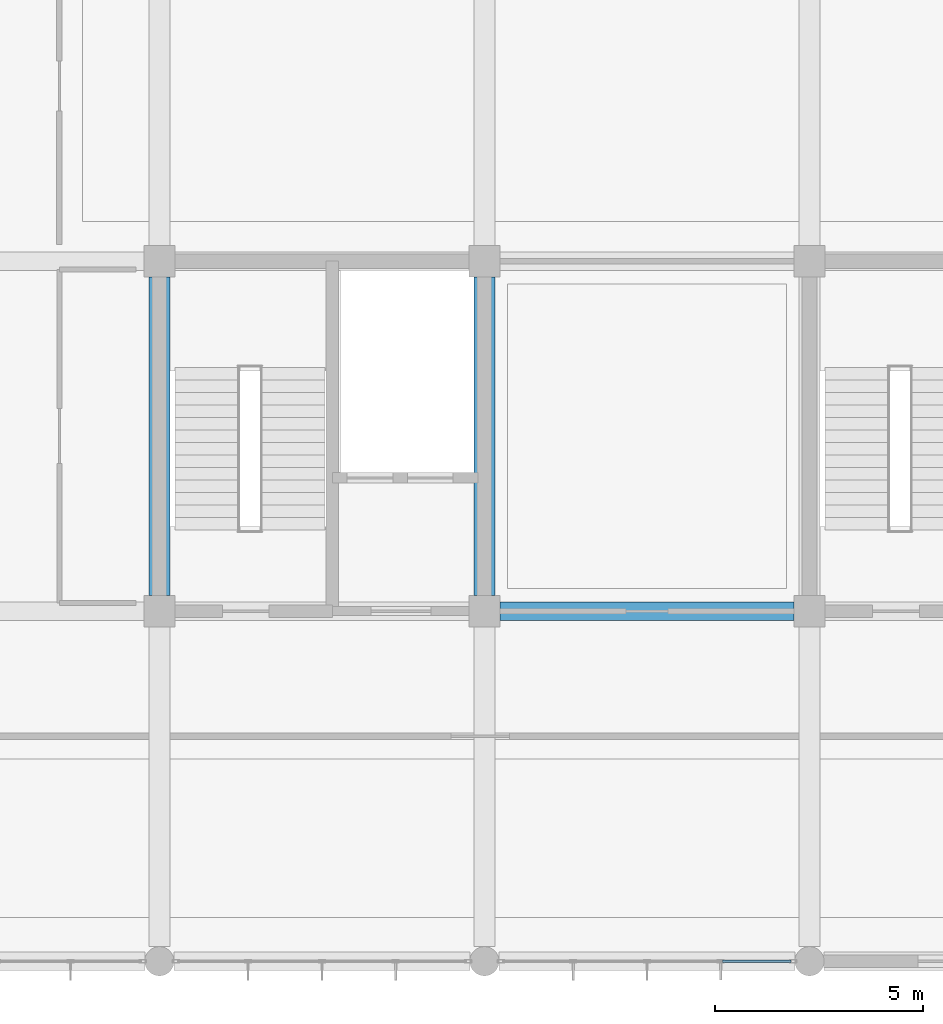
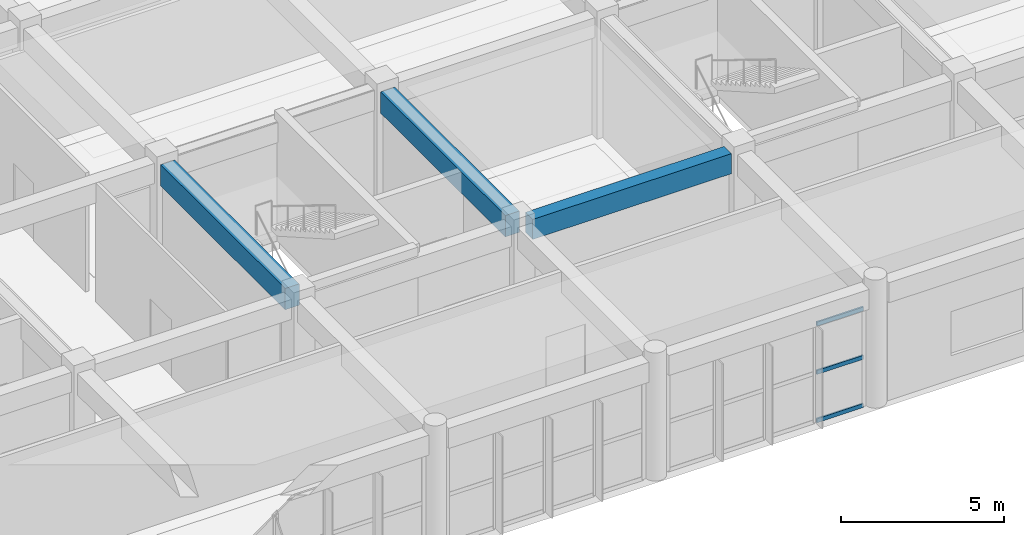
# One storey, part 30 of 175: 3 beams, 3 members, 1 element without a shape of its own.
"""IFC4 building model written with IfcOpenShell, lengths in metres."""

import ifcopenshell
import ifcopenshell.guid

model = None  # the IFC model being written
_history = None  # IfcOwnerHistory: only IFC2X3 demands one
_inside = {}  # id of a spatial element -> (the spatial element, [elements in it])
_under = {}  # id of a project, library or spatial element -> (it, [spatial elements below it])
_declared = {}  # id of a project -> (the project, [libraries it declares])
_typed = {}  # id of a type object -> (the type object, [elements of that type])
_made_of = {}  # id of a material, layer set ... -> (it, [elements and type objects made of it])


def new_model(schema):
    """Start an empty IFC model of exactly this schema.

    Asked for "IFC4X3", IfcOpenShell would pick the latest addendum, in which some entities
    have other attributes; the version numbers below select the first issue.
    IFC2X3 requires an IfcOwnerHistory on every rooted entity: one is made here for all.
    """
    global model, _history
    if schema == "IFC4X3":
        model = ifcopenshell.file(schema_version=(4, 3, 0, 0))
    else:
        model = ifcopenshell.file(schema=schema)
    _inside.clear()
    _under.clear()
    _declared.clear()
    _typed.clear()
    _made_of.clear()
    _history = None
    if model.schema == "IFC2X3":
        org = make("IfcOrganization", Name="unknown")
        user = make(
            "IfcPersonAndOrganization",
            ThePerson=make("IfcPerson", FamilyName="unknown"),
            TheOrganization=org,
        )
        app = make(
            "IfcApplication",
            ApplicationDeveloper=org,
            Version="unknown",
            ApplicationFullName="unknown",
            ApplicationIdentifier="unknown",
        )
        _history = make(
            "IfcOwnerHistory",
            OwningUser=user,
            OwningApplication=app,
            ChangeAction="ADDED",
            CreationDate=0,
        )
    return model


def make(cls, **values):
    """One entity of the class cls with the attributes given. An attribute that is None is left unset."""
    return model.create_entity(
        cls, **{name: value for name, value in values.items() if value is not None}
    )


def rooted(cls, **values):
    """An entity with a GlobalId (a new one), such as an element, a storey or a relation."""
    return make(cls, GlobalId=ifcopenshell.guid.new(), OwnerHistory=_history, **values)


def si_unit(unit_type, name, prefix=None):
    """IfcSIUnit, for example si_unit("LENGTHUNIT", "METRE", prefix="MILLI")."""
    return make("IfcSIUnit", UnitType=unit_type, Prefix=prefix, Name=name)


def assignment(units):
    """IfcUnitAssignment: the units of a project."""
    return None if units is None else make("IfcUnitAssignment", Units=units)


def point(xyz):
    """IfcCartesianPoint."""
    return None if xyz is None else make("IfcCartesianPoint", Coordinates=xyz)


def direction(xyz):
    """IfcDirection."""
    return None if xyz is None else make("IfcDirection", DirectionRatios=xyz)


def frame(location, z_axis=None, x_axis=None):
    """IfcAxis2Placement3D, a coordinate frame: its origin and axes. An axis left out is left unset."""
    return make(
        "IfcAxis2Placement3D",
        Location=point(location),
        Axis=direction(z_axis),
        RefDirection=direction(x_axis),
    )


def frame_2d(location, x_axis=None):
    """IfcAxis2Placement2D, a coordinate frame in the plane: its origin and x axis."""
    return make(
        "IfcAxis2Placement2D", Location=point(location), RefDirection=direction(x_axis)
    )


def origin():
    """The frame at (0, 0, 0) with its axes left unset."""
    return frame((0.0, 0.0, 0.0))


def origin_2d():
    """The frame at (0, 0) in the plane with its x axis left unset."""
    return frame_2d((0.0, 0.0))


def place(relative_to, where):
    """IfcLocalPlacement: puts the frame where relative to a parent placement (None: the world)."""
    return make(
        "IfcLocalPlacement", PlacementRelTo=relative_to, RelativePlacement=where
    )


def context(
    kind, dimensions, precision=None, world=None, true_north=None, identifier=None
):
    """IfcGeometricRepresentationContext, for example the 3D "Model" context."""
    return make(
        "IfcGeometricRepresentationContext",
        ContextIdentifier=identifier,
        ContextType=kind,
        CoordinateSpaceDimension=dimensions,
        Precision=precision,
        WorldCoordinateSystem=world,
        TrueNorth=true_north,
    )


def subcontext(parent, identifier, kind, view, scale=None):
    """IfcGeometricRepresentationSubContext, for example "Body" below "Model"."""
    return make(
        "IfcGeometricRepresentationSubContext",
        ContextIdentifier=identifier,
        ContextType=kind,
        ParentContext=parent,
        TargetScale=scale,
        TargetView=view,
    )


def project(units=None, contexts=None):
    """IfcProject with its units and contexts."""
    return rooted(
        "IfcProject",
        Name="project",
        RepresentationContexts=contexts,
        UnitsInContext=assignment(units),
    )


def spatial(cls, under=None, at=None, **own):
    """A site, building, storey or space (cls), placed at a placement, below another one or the project."""
    s = rooted(cls, ObjectPlacement=at, **own)
    if under is not None:
        _under.setdefault(under.id(), (under, []))[1].append(s)
    return s


def profile(cls, at=None, kind="AREA", **sizes):
    """A parametric profile (cls). Its sizes go by their IFC names, for example OverallWidth=200.0."""
    return make(cls, ProfileType=kind, Position=at, **sizes)


def rectangle(**sizes):
    """IfcRectangleProfileDef."""
    return profile("IfcRectangleProfileDef", **sizes)


def hollow_rectangle(**sizes):
    """IfcRectangleHollowProfileDef."""
    return profile("IfcRectangleHollowProfileDef", **sizes)


def extrude(swept, where, along, depth):
    """IfcExtrudedAreaSolid: the profile swept, set in the frame where, extruded along a direction by depth."""
    return make(
        "IfcExtrudedAreaSolid",
        SweptArea=swept,
        Position=where,
        ExtrudedDirection=direction(along),
        Depth=depth,
    )


def shape(context_of_items, identifier, shape_type, items):
    """IfcShapeRepresentation: the items that make up one representation, for example the "Body"."""
    return make(
        "IfcShapeRepresentation",
        ContextOfItems=context_of_items,
        RepresentationIdentifier=identifier,
        RepresentationType=shape_type,
        Items=items,
    )


def material(Name=None, Category=None):
    """IfcMaterial."""
    return make("IfcMaterial", Name=Name, Category=Category)


def layer(
    of_material, thickness, ventilated=None, Name=None, Category=None, Priority=None
):
    """IfcMaterialLayer: one layer of a wall or slab, of a material (None: an air gap)."""
    return make(
        "IfcMaterialLayer",
        Material=of_material,
        LayerThickness=thickness,
        IsVentilated=ventilated,
        Name=Name,
        Category=Category,
        Priority=Priority,
    )


def layer_set(layers, Name=None):
    """IfcMaterialLayerSet."""
    return make("IfcMaterialLayerSet", MaterialLayers=layers, LayerSetName=Name)


def material_profile(
    of_material, cross_section, Name=None, Category=None, Priority=None
):
    """IfcMaterialProfile: a cross section and its material."""
    return make(
        "IfcMaterialProfile",
        Name=Name,
        Material=of_material,
        Profile=cross_section,
        Priority=Priority,
        Category=Category,
    )


def profile_set(profiles, Name=None, composite=None):
    """IfcMaterialProfileSet."""
    return make(
        "IfcMaterialProfileSet",
        Name=Name,
        MaterialProfiles=profiles,
        CompositeProfile=composite,
    )


def made_of(thing, what):
    """Note that an element or type object is made of a material, layer set ...; save() writes the relation."""
    if what is not None:
        _made_of.setdefault(what.id(), (what, []))[1].append(thing)
    return thing


def type_object(cls, material=None, **own):
    """A type object (cls), such as IfcWallType, which elements share."""
    return made_of(rooted(cls, **own), material)


def element(
    cls,
    number,
    at=None,
    inside=None,
    cuts=None,
    type_object=None,
    material=None,
    context=None,
    identifier="Body",
    shape_type=None,
    held_by="IfcProductDefinitionShape",
    body=None,
    shapes=None,
    **own,
):
    """One element of the class cls, such as IfcWall. Its Tag is "e" and its number.

    at: its placement. inside: the storey or other place that contains it. cuts: it is an
    opening in that element (IfcRelVoidsElement). A single representation is given by context,
    identifier, shape_type and body (its items); several are given by shapes. held_by: the class
    of the entity that holds the representations. save() writes the other relations.
    """
    e = rooted(cls, Tag="e%d" % number, ObjectPlacement=at, **own)
    if body is not None:
        shapes = [shape(context, identifier, shape_type, body)]
    if shapes is not None:
        e.Representation = make(held_by, Representations=shapes)
    if inside is not None:
        _inside.setdefault(inside.id(), (inside, []))[1].append(e)
    if cuts is not None:
        rooted(
            "IfcRelVoidsElement", RelatingBuildingElement=cuts, RelatedOpeningElement=e
        )
    if type_object is not None:
        _typed.setdefault(type_object.id(), (type_object, []))[1].append(e)
    return made_of(e, material)


def aggregate(whole, parts):
    """IfcRelAggregates: a whole, such as a stair, and the parts it consists of."""
    return rooted("IfcRelAggregates", RelatingObject=whole, RelatedObjects=parts)


def save(model, path):
    """Write the relations noted so far, then the file.

    IfcRelAggregates (storeys below a building ...), IfcRelContainedInSpatialStructure (elements
    in a storey), IfcRelDefinesByType, IfcRelAssociatesMaterial and IfcRelDeclares: one each for
    every whole, place, type object, material and project.
    """
    for whole, parts in _under.values():
        aggregate(whole, parts)
    for where, things in _inside.values():
        rooted(
            "IfcRelContainedInSpatialStructure",
            RelatedElements=things,
            RelatingStructure=where,
        )
    for kind, things in _typed.values():
        rooted("IfcRelDefinesByType", RelatedObjects=things, RelatingType=kind)
    for what, things in _made_of.values():
        rooted("IfcRelAssociatesMaterial", RelatedObjects=things, RelatingMaterial=what)
    for by, libraries in _declared.values():
        rooted("IfcRelDeclares", RelatingContext=by, RelatedDefinitions=libraries)
    model.write(path)


model = new_model("IFC4")

# Units and contexts
model_context = context("Model", 3, precision=1e-05, world=origin(), true_north=direction((0.0, 1.0)))
body_context = subcontext(model_context, "Body", "Model", "MODEL_VIEW")
ifc_project = project(units=[si_unit("LENGTHUNIT", "METRE"), si_unit("AREAUNIT", "SQUARE_METRE"), si_unit("VOLUMEUNIT", "CUBIC_METRE"), si_unit("PLANEANGLEUNIT", "RADIAN"), si_unit("MASSUNIT", "GRAM", prefix="KILO")], contexts=[model_context])

# Site, building, storey
site_placement = place(None, origin())
site = spatial("IfcSite", under=ifc_project, at=site_placement, CompositionType="ELEMENT")
building_placement = place(site_placement, origin())
building = spatial("IfcBuilding", under=site, at=building_placement, Name="Zizhar Promenade General Hospital", CompositionType="ELEMENT")
storey_placement = place(building_placement, frame((0.0, 0.0, 4.800048828125)))
storey = spatial("IfcBuildingStorey", under=building, at=storey_placement, Name="L01", CompositionType="ELEMENT", Elevation=4.800048828125)

# Beams
ifc_material_1 = material(Name="Concrete C35/45", Category="concrete")
ifc_material_profile_1 = material_profile(ifc_material_1, rectangle(XDim=0.449951171875, YDim=0.75, at=origin_2d()))
ifc_profile_set_1 = profile_set([ifc_material_profile_1], Name="Concrete C35/45")
beam_type_1 = type_object("IfcBeamType", Name="BM-RC-450x750", PredefinedType="BEAM", material=ifc_profile_set_1)
beam_placement = place(storey_placement, frame((70.574951171875, 8.39990234375, 4.094970703125), z_axis=(1.0, 0.0, 0.0), x_axis=(0.0, 1.0, 0.0)))
element("IfcBeam", 1, at=beam_placement, inside=storey, type_object=beam_type_1, Name="Grid Beam X L01 (9-1)", PredefinedType="BEAM", context=body_context, shape_type="SweptSolid", body=[
    extrude(rectangle(XDim=0.449951171875, YDim=0.75, at=origin_2d()), origin(), (0.0, 0.0, 1.0), 7.050048828125),
])
ifc_material_2 = material(Name="Concrete C35/45", Category="concrete")
ifc_material_profile_2 = material_profile(ifc_material_2, rectangle(XDim=0.5, YDim=0.800048828125, at=origin_2d()))
ifc_profile_set_2 = profile_set([ifc_material_profile_2], Name="Concrete C35/45")
beam_type_2 = type_object("IfcBeamType", Name="BM-RC-500x800", PredefinedType="BEAM", material=ifc_profile_set_2)
for number, where, z_axis, x_axis, name in (
    (2, (62.39990234375, 8.77490234375, 4.070068359375), (0.0, 1.0, 0.0), (-1.0, 0.0, 0.0), "Grid Beam Y L01 (8-1)"),
    (3, (70.199951171875, 8.77490234375, 4.070068359375), (0.0, 1.0, 0.0), (-1.0, 0.0, 0.0), "Grid Beam Y L01 (9-1)"),
):
    element("IfcBeam", number, at=place(storey_placement, frame(where, z_axis=z_axis, x_axis=x_axis)), inside=storey, type_object=beam_type_2, Name=name, PredefinedType="BEAM", context=body_context, shape_type="SweptSolid", body=[
        extrude(rectangle(XDim=0.5, YDim=0.800048828125, at=origin_2d()), origin(), (0.0, 0.0, 1.0), 7.650146484375),
    ])

# Curtain wall, members
ifc_material_3 = material(Name="Anodised aluminium 6063-T6 and low-E glass", Category="aluminium")
ifc_layer = layer(ifc_material_3, 0.159912109375)
ifc_layer_set = layer_set([ifc_layer], Name="Anodised aluminium 6063-T6 and low-E glass")
curtain_wall_type = type_object("IfcCurtainWallType", Name="CW-DT-MOD1", PredefinedType="NOTDEFINED", material=ifc_layer_set)
curtain_wall_placement = place(storey_placement, origin())
curtain_wall = element("IfcCurtainWall", 4, at=curtain_wall_placement, inside=storey, type_object=curtain_wall_type, Name="Riverfront Clinical Curtain Wall L01-8", PredefinedType="NOTDEFINED")
ifc_material_4 = material(Name="Anodised aluminium 6063-T6", Category="aluminium")
ifc_material_profile_3 = material_profile(ifc_material_4, hollow_rectangle(XDim=0.06005859375, YDim=0.14990234375, WallThickness=0.00390625, at=origin_2d()))
ifc_profile_set_3 = profile_set([ifc_material_profile_3], Name="Anodised aluminium 6063-T6")
member_type = type_object("IfcMemberType", Name="CWT-ALU-150x60", PredefinedType="USERDEFINED", material=ifc_profile_set_3)
member_1_placement = place(storey_placement, frame((77.56005859375, 0.0, 0.030029296875), z_axis=(-1.0, 0.0, 0.0), x_axis=(0.0, -1.0, 0.0)))
member_1 = element("IfcMember", 5, at=member_1_placement, type_object=member_type, Name="CW-07 transom 1.1", ObjectType="TRANSOM", PredefinedType="USERDEFINED", context=body_context, shape_type="SweptSolid", body=[
    extrude(hollow_rectangle(XDim=0.06005859375, YDim=0.14990234375, WallThickness=0.00390625, at=origin_2d()), origin(), (0.0, 0.0, 1.0), 1.650146484375),
])
member_2_placement = place(storey_placement, frame((77.56005859375, 0.0, 1.83984375), z_axis=(-1.0, 0.0, 0.0), x_axis=(0.0, -1.0, 0.0)))
member_2 = element("IfcMember", 6, at=member_2_placement, type_object=member_type, Name="CW-07 transom 1.2", ObjectType="TRANSOM", PredefinedType="USERDEFINED", context=body_context, shape_type="SweptSolid", body=[
    extrude(hollow_rectangle(XDim=0.06005859375, YDim=0.14990234375, WallThickness=0.00390625, at=origin_2d()), origin(), (0.0, 0.0, 1.0), 1.650146484375),
])
member_3_placement = place(storey_placement, frame((77.56005859375, 0.0, 3.64990234375), z_axis=(-1.0, 0.0, 0.0), x_axis=(0.0, -1.0, 0.0)))
member_3 = element("IfcMember", 7, at=member_3_placement, type_object=member_type, Name="CW-07 transom 1.3", ObjectType="TRANSOM", PredefinedType="USERDEFINED", context=body_context, shape_type="SweptSolid", body=[
    extrude(hollow_rectangle(XDim=0.06005859375, YDim=0.14990234375, WallThickness=0.00390625, at=origin_2d()), origin(), (0.0, 0.0, 1.0), 1.650146484375),
])
aggregate(curtain_wall, [member_1, member_2, member_3])

save(model, "model.ifc")
